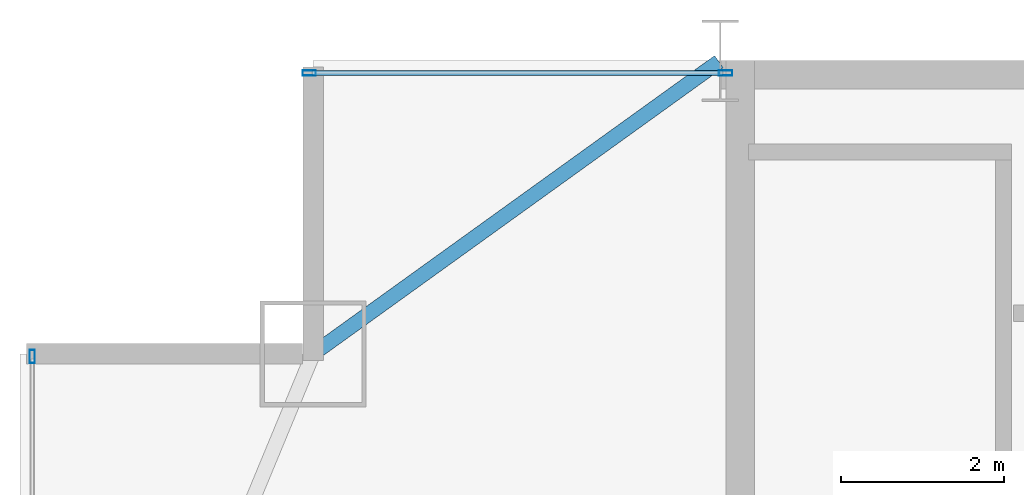
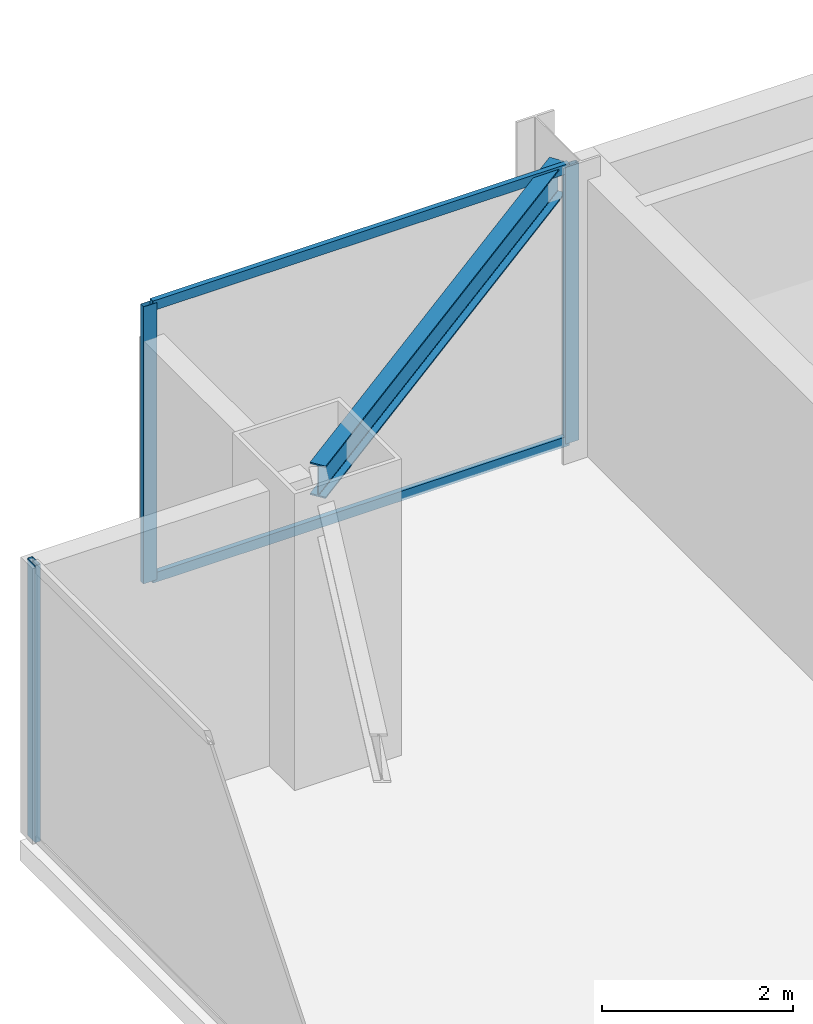
# One storey, part 20 of 31: 5 members, 1 beam, 2 elements without a shape of their own.
"""IFC4 building model written with IfcOpenShell, lengths in metres."""

from ifc_helpers import new_model, si_unit, direction, frame, origin, origin_2d, place, context, subcontext, project, spatial, hollow_rectangle, i_section, extrude, source, transform, mapped, material, layer, layer_set, material_profile, profile_set, type_object, type_shapes, element, aggregate, save


model = new_model("IFC4")

# Units and contexts
model_context = context("Model", 3, precision=1e-05, world=origin(), true_north=direction((0.0, 1.0)))
body_context = subcontext(model_context, "Body", "Model", "MODEL_VIEW")
ifc_project = project(units=[si_unit("LENGTHUNIT", "METRE"), si_unit("AREAUNIT", "SQUARE_METRE"), si_unit("VOLUMEUNIT", "CUBIC_METRE"), si_unit("PLANEANGLEUNIT", "RADIAN"), si_unit("MASSUNIT", "GRAM", prefix="KILO")], contexts=[model_context])

# Site, building, storey
site_placement = place(None, origin())
site = spatial("IfcSite", under=ifc_project, at=site_placement, CompositionType="ELEMENT")
building_placement = place(site_placement, origin())
building = spatial("IfcBuilding", under=site, at=building_placement, Name="Varnel Quay Broadcast Tower", CompositionType="ELEMENT")
storey_placement = place(building_placement, frame((0.0, 0.0, 153.39990234375)))
storey = spatial("IfcBuildingStorey", under=building, at=storey_placement, Name="L37", CompositionType="ELEMENT", Elevation=153.39990234375)

# Beam
ifc_material_1 = material(Name="Structural Steel CSA G40.21 350W", Category="steel")
ifc_material_profile_1 = material_profile(ifc_material_1, i_section(OverallWidth=0.180908203125, OverallDepth=0.4169921875, WebThickness=0.010986328125, FlangeThickness=0.018310546875, FilletRadius=0.011962890625, at=origin_2d()), Name="W410X85")
ifc_profile_set_1 = profile_set([ifc_material_profile_1], Name="Structural Steel CSA G40.21 350W")
beam_type = type_object("IfcBeamType", Name="Beam_W410X85", PredefinedType="SPANDREL", material=ifc_profile_set_1)
shared_shape_1 = source(origin(), body_context, "Body", "SweptSolid", [
    extrude(i_section(OverallWidth=0.180908203125, OverallDepth=0.4169921875, WebThickness=0.010986328125, FlangeThickness=0.018310546875, FilletRadius=0.011962890625, at=origin_2d()), origin(), (0.0, 0.0, 1.0), 6.12109375),
])
type_shapes(beam_type, [shared_shape_1])
beam_placement = place(storey_placement, frame((10.6162109375, 43.211669921875, 3.341552734375), z_axis=(0.811531315425, 0.584308928637, 0.0), x_axis=(-0.584308928637, 0.811531315425, 0.0)))
element("IfcBeam", 1, at=beam_placement, inside=storey, type_object=beam_type, Name="L37 NW Tie Spandrel", PredefinedType="SPANDREL", context=body_context, shape_type="MappedRepresentation", body=[
    mapped(shared_shape_1, transform((0.0, 0.0, 0.0), x_axis=(1.0, 0.0, 0.0), y_axis=(0.0, 1.0, 0.0), z_axis=(0.0, 0.0, 1.0), scale=1.0)),
])

# Curtain wall, member
ifc_material_2 = material(Name="Anodised Bronze Aluminium 6063-T6", Category="aluminium")
ifc_layer = layer(ifc_material_2, 0.18994140625, Name="Anodised Bronze Aluminium 6063-T6")
ifc_layer_set = layer_set([ifc_layer], Name="Anodised Bronze Aluminium 6063-T6")
curtain_wall_type = type_object("IfcCurtainWallType", Name="CW_UpperTower", PredefinedType="NOTDEFINED", material=ifc_layer_set)
curtain_wall_1_placement = place(storey_placement, origin())
curtain_wall_1 = element("IfcCurtainWall", 2, at=curtain_wall_1_placement, inside=storey, type_object=curtain_wall_type, Name="L37 West Unitised Curtain Wall", PredefinedType="NOTDEFINED")
ifc_material_profile_2 = material_profile(ifc_material_2, hollow_rectangle(XDim=0.06494140625, YDim=0.1650390625, WallThickness=0.00341796875, at=origin_2d()), Name="ALU65X165X3.5")
ifc_profile_set_2 = profile_set([ifc_material_profile_2], Name="Anodised Bronze Aluminium 6063-T6")
member_type_1 = type_object("IfcMemberType", Name="Mull_CWS-03", PredefinedType="MULLION", material=ifc_profile_set_2)
shared_shape_2 = source(origin(), body_context, "Body", "SweptSolid", [
    extrude(hollow_rectangle(XDim=0.06494140625, YDim=0.1650390625, WallThickness=0.00341796875, at=origin_2d()), origin(), (0.0, 0.0, 1.0), 3.550048828125),
])
type_shapes(member_type_1, [shared_shape_2])
member_1_placement = place(storey_placement, frame((7.14990234375, 43.16748046875, 0.0), z_axis=(0.0, 0.0, 1.0), x_axis=(-1.0, 0.0, 0.0)))
member_1 = element("IfcMember", 3, at=member_1_placement, type_object=member_type_1, Name="CWS-03 mullion 4", PredefinedType="MULLION", context=body_context, shape_type="MappedRepresentation", body=[
    mapped(shared_shape_2, transform((0.0, 0.0, 0.0), x_axis=(1.0, 0.0, 0.0), y_axis=(0.0, 1.0, 0.0), z_axis=(0.0, 0.0, 1.0), scale=1.0)),
])
aggregate(curtain_wall_1, [member_1])

# Curtain wall, members
curtain_wall_2_placement = place(storey_placement, origin())
curtain_wall_2 = element("IfcCurtainWall", 4, at=curtain_wall_2_placement, inside=storey, type_object=curtain_wall_type, Name="L37 NW Wing Curtain Wall", PredefinedType="NOTDEFINED")
member_2_placement = place(storey_placement, frame((10.552490234375, 46.64990234375, 0.0), z_axis=(0.0, 0.0, 1.0), x_axis=(0.0, 1.0, 0.0)))
member_2 = element("IfcMember", 5, at=member_2_placement, type_object=member_type_1, Name="CWS-03 mullion 1", PredefinedType="MULLION", context=body_context, shape_type="MappedRepresentation", body=[
    mapped(shared_shape_2, transform((0.0, 0.0, 0.0), x_axis=(1.0, 0.0, 0.0), y_axis=(0.0, 1.0, 0.0), z_axis=(0.0, 0.0, 1.0), scale=1.0)),
])
member_3_placement = place(storey_placement, frame((15.66748046875, 46.64990234375, 0.0), z_axis=(0.0, 0.0, 1.0), x_axis=(0.0, 1.0, 0.0)))
member_3 = element("IfcMember", 6, at=member_3_placement, type_object=member_type_1, Name="CWS-03 mullion 2", PredefinedType="MULLION", context=body_context, shape_type="MappedRepresentation", body=[
    mapped(shared_shape_2, transform((0.0, 0.0, 0.0), x_axis=(1.0, 0.0, 0.0), y_axis=(0.0, 1.0, 0.0), z_axis=(0.0, 0.0, 1.0), scale=1.0)),
])
ifc_material_profile_3 = material_profile(ifc_material_2, hollow_rectangle(XDim=0.06005859375, YDim=0.125, WallThickness=0.0029296875, at=origin_2d()), Name="ALU60X125X3")
ifc_profile_set_3 = profile_set([ifc_material_profile_3], Name="Anodised Bronze Aluminium 6063-T6")
member_type_2 = type_object("IfcMemberType", Name="Tran_CWS-03", PredefinedType="USERDEFINED", material=ifc_profile_set_3)
shared_shape_3 = source(origin(), body_context, "Body", "SweptSolid", [
    extrude(hollow_rectangle(XDim=0.06005859375, YDim=0.125, WallThickness=0.0029296875, at=origin_2d()), origin(), (0.0, 0.0, 1.0), 5.050048828125),
])
type_shapes(member_type_2, [shared_shape_3])
member_4_placement = place(storey_placement, frame((10.5849609375, 46.64990234375, 0.030029296875), z_axis=(1.0, 0.0, 0.0), x_axis=(0.0, 1.0, 0.0)))
member_4 = element("IfcMember", 7, at=member_4_placement, type_object=member_type_2, Name="CWS-03 transom 1.1", ObjectType="TRANSOM", PredefinedType="USERDEFINED", context=body_context, shape_type="MappedRepresentation", body=[
    mapped(shared_shape_3, transform((0.0, 0.0, 0.0), x_axis=(1.0, 0.0, 0.0), y_axis=(0.0, 1.0, 0.0), z_axis=(0.0, 0.0, 1.0), scale=1.0)),
])
member_5_placement = place(storey_placement, frame((10.5849609375, 46.64990234375, 3.52001953125), z_axis=(1.0, 0.0, 0.0), x_axis=(0.0, 1.0, 0.0)))
member_5 = element("IfcMember", 8, at=member_5_placement, type_object=member_type_2, Name="CWS-03 transom 1.2", ObjectType="TRANSOM", PredefinedType="USERDEFINED", context=body_context, shape_type="MappedRepresentation", body=[
    mapped(shared_shape_3, transform((0.0, 0.0, 0.0), x_axis=(1.0, 0.0, 0.0), y_axis=(0.0, 1.0, 0.0), z_axis=(0.0, 0.0, 1.0), scale=1.0)),
])
aggregate(curtain_wall_2, [member_2, member_3, member_4, member_5])

save(model, "model.ifc")
